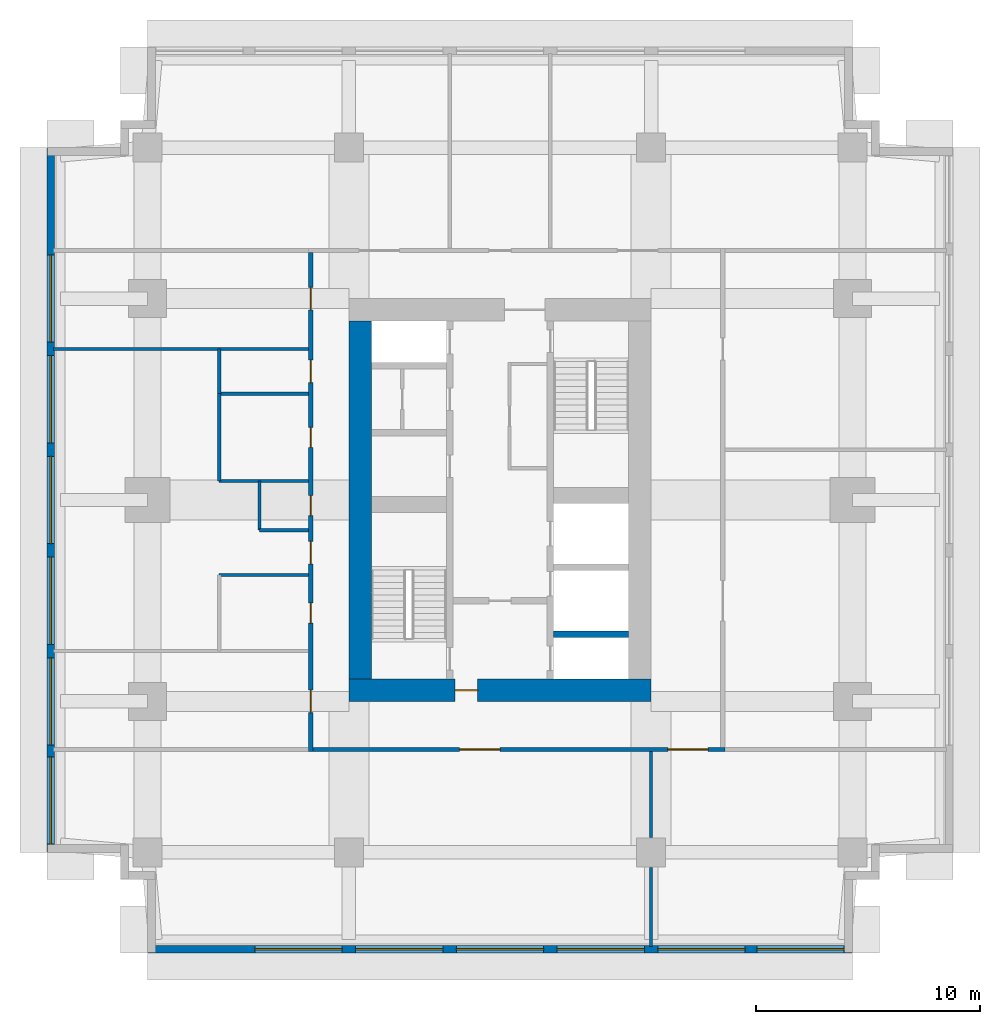
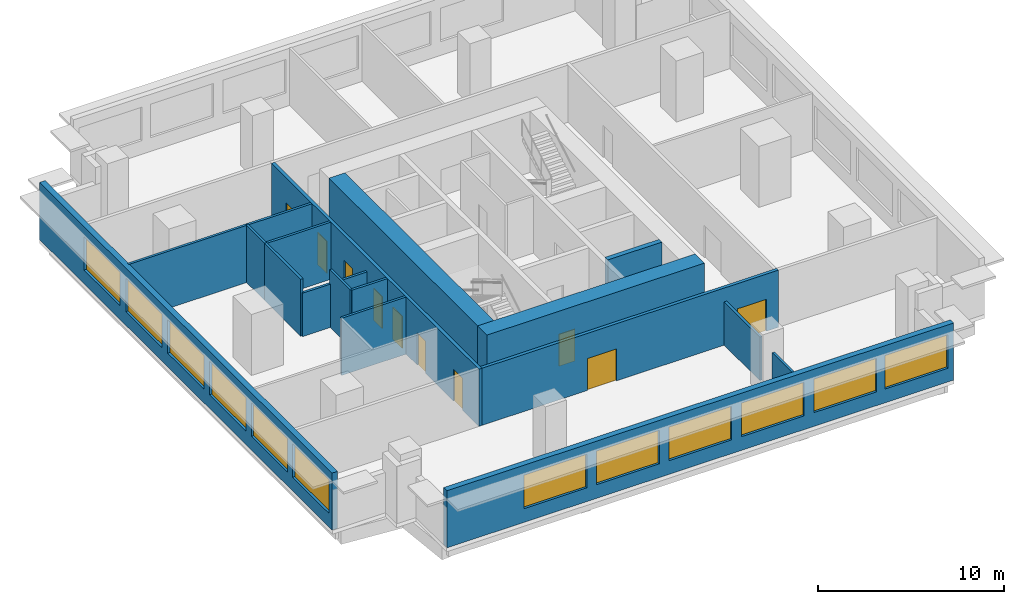
# One storey, part 2 of 5: 17 walls, 12 windows, 10 doors, 22 openings.
"""IFC4 building model written with IfcOpenShell, lengths in metres."""

from ifc_helpers import new_model, si_unit, direction, frame, frame_2d, origin, place, context, subcontext, project, spatial, rectangle, extrude, material, layer, layer_set, type_object, element, fill, save


model = new_model("IFC4")

# Units and contexts
model_context = context("Model", 3, precision=1e-05, world=origin(), true_north=direction((0.0, 1.0)))
body_context = subcontext(model_context, "Body", "Model", "MODEL_VIEW")
ifc_project = project(units=[si_unit("LENGTHUNIT", "METRE"), si_unit("AREAUNIT", "SQUARE_METRE"), si_unit("VOLUMEUNIT", "CUBIC_METRE"), si_unit("PLANEANGLEUNIT", "RADIAN"), si_unit("MASSUNIT", "GRAM", prefix="KILO")], contexts=[model_context])

# Site, building, storey
site_placement = place(None, origin())
site = spatial("IfcSite", under=ifc_project, at=site_placement, CompositionType="ELEMENT")
building_placement = place(site_placement, origin())
building = spatial("IfcBuilding", under=site, at=building_placement, Name="Namib Vertical Campus", CompositionType="ELEMENT")
storey_placement = place(building_placement, frame((0.0, 0.0, 285.0)))
storey = spatial("IfcBuildingStorey", under=building, at=storey_placement, Name="L67", CompositionType="ELEMENT", Elevation=285.0)

# Wall
ifc_material_1 = material(Name="Concrete C60/75", Category="concrete")
ifc_layer_1 = layer(ifc_material_1, 0.300048828125)
ifc_layer_set_1 = layer_set([ifc_layer_1], Name="Concrete C60/75")
wall_type_1 = type_object("IfcWallType", Name="Core inner wall 300", PredefinedType="SHEAR", material=ifc_layer_set_1)
wall_1_placement = place(storey_placement, frame((22.64990234375, 14.25, 0.0), z_axis=(0.0, 0.0, 1.0), x_axis=(1.0, 0.0, 0.0)))
element("IfcWall", 1, at=wall_1_placement, inside=storey, type_object=wall_type_1, Name="Core inner wall A L67 W5", PredefinedType="SHEAR", context=body_context, shape_type="SweptSolid", body=[
    extrude(rectangle(XDim=3.35009765625, YDim=0.300048828125, at=frame_2d((1.675048828125, 0.0))), origin(), (0.0, 0.0, 1.0), 4.0),
])

# Wall, opening, door
ifc_material_2 = material(Name="Concrete C60/75", Category="concrete")
ifc_layer_2 = layer(ifc_material_2, 1.0)
ifc_layer_set_2 = layer_set([ifc_layer_2], Name="Concrete C60/75")
wall_type_2 = type_object("IfcWallType", Name="Core wall 1000", PredefinedType="SHEAR", material=ifc_layer_set_2)
wall_2_placement = place(storey_placement, frame((13.5, 11.75, 0.0), z_axis=(0.0, 0.0, 1.0), x_axis=(1.0, 0.0, 0.0)))
wall_2 = element("IfcWall", 2, at=wall_2_placement, inside=storey, type_object=wall_type_2, Name="Core wall A L67 1", PredefinedType="SHEAR", context=body_context, shape_type="SweptSolid", body=[
    extrude(rectangle(XDim=13.5, YDim=1.0, at=frame_2d((6.75, 0.0))), origin(), (0.0, 0.0, 1.0), 4.0),
])
opening_1_placement = place(wall_2_placement, frame((4.75, 0.0, 0.0)))
opening_1 = element("IfcOpeningElement", 3, at=opening_1_placement, cuts=wall_2, Name="Opening FD5", PredefinedType="OPENING", context=body_context, shape_type="SweptSolid", body=[
    extrude(rectangle(XDim=1.0, YDim=2.10009765625, at=frame_2d((0.5, 1.050048828125))), frame((0.0, 0.510009765625, 0.0), z_axis=(0.0, -1.0, 0.0), x_axis=(1.0, 0.0, 0.0)), (0.0, 0.0, 1.0), 1.02001953125),
])
ifc_material_3 = material(Name="Steel fire door", Category="steel")
door_type_1 = type_object("IfcDoorType", Name="Fire door 1000x2100 120 min", OperationType="SINGLE_SWING_RIGHT", PredefinedType="DOOR", material=ifc_material_3)
door_1_placement = place(opening_1_placement, origin())
door_1 = element("IfcDoor", 4, at=door_1_placement, inside=storey, type_object=door_type_1, Name="Firefighting lobby door FD5 A L67", OperationType="SINGLE_SWING_LEFT", OverallHeight=2.10009765625, OverallWidth=1.0, PredefinedType="DOOR", context=body_context, shape_type="SweptSolid", body=[
    extrude(rectangle(XDim=1.0, YDim=2.10009765625, at=frame_2d((0.5, 1.050048828125))), frame((0.0, 0.02490234375, 0.0), z_axis=(0.0, -1.0, 0.0), x_axis=(1.0, 0.0, 0.0)), (0.0, 0.0, 1.0), 0.050048828125),
])
fill(opening_1, door_1)

# Wall
wall_3_placement = place(storey_placement, frame((14.0, 28.25, 0.0), z_axis=(0.0, 0.0, 1.0), x_axis=(0.0, -1.0, 0.0)))
element("IfcWall", 5, at=wall_3_placement, inside=storey, type_object=wall_type_2, Name="Core wall A L67 4", PredefinedType="SHEAR", context=body_context, shape_type="SweptSolid", body=[
    extrude(rectangle(XDim=16.0, YDim=1.0, at=frame_2d((8.0, 0.0))), origin(), (0.0, 0.0, 1.0), 4.0),
])

# Wall, openings, doors
ifc_material_4 = material(Name="Concrete masonry", Category="masonry")
ifc_layer_3 = layer(ifc_material_4, 0.199951171875)
ifc_layer_set_3 = layer_set([ifc_layer_3], Name="Corridor wall 200")
wall_type_3 = type_object("IfcWallType", Name="Corridor wall 200", PredefinedType="SOLIDWALL", material=ifc_layer_set_3)
wall_4_placement = place(storey_placement, frame((11.89990234375, 9.10009765625, 0.0), z_axis=(0.0, 0.0, 1.0), x_axis=(1.0, 0.0, 0.0)))
wall_4 = element("IfcWall", 6, at=wall_4_placement, inside=storey, type_object=wall_type_3, Name="Corridor wall A L67 CS", PredefinedType="SOLIDWALL", context=body_context, shape_type="SweptSolid", body=[
    extrude(rectangle(XDim=18.400146484375, YDim=0.199951171875, at=frame_2d((9.2001953125, 0.0))), origin(), (0.0, 0.0, 1.0), 3.75),
])
opening_2_placement = place(wall_4_placement, frame((6.550048828125, 0.0, 0.0)))
opening_2 = element("IfcOpeningElement", 7, at=opening_2_placement, cuts=wall_4, Name="Opening CD2", PredefinedType="OPENING", context=body_context, shape_type="SweptSolid", body=[
    extrude(rectangle(XDim=1.800048828125, YDim=2.10009765625, at=frame_2d((0.89990234375, 1.050048828125))), frame((0.0, 0.10986328125, 0.0), z_axis=(0.0, -1.0, 0.0), x_axis=(1.0, 0.0, 0.0)), (0.0, 0.0, 1.0), 0.219970703125),
])
opening_3_placement = place(wall_4_placement, frame((15.85009765625, 0.0, 0.0)))
opening_3 = element("IfcOpeningElement", 8, at=opening_3_placement, cuts=wall_4, Name="Opening CD2", PredefinedType="OPENING", context=body_context, shape_type="SweptSolid", body=[
    extrude(rectangle(XDim=1.800048828125, YDim=2.10009765625, at=frame_2d((0.89990234375, 1.050048828125))), frame((0.0, 0.10986328125, 0.0), z_axis=(0.0, -1.0, 0.0), x_axis=(1.0, 0.0, 0.0)), (0.0, 0.0, 1.0), 0.219970703125),
])
ifc_material_5 = material(Name="Timber fire door leaf", Category="wood")
door_type_2 = type_object("IfcDoorType", Name="Corridor door double 1800x2100 20 min", OperationType="DOUBLE_DOOR_SINGLE_SWING", PredefinedType="DOOR", material=ifc_material_5)
door_2_placement = place(opening_2_placement, frame((1.800048828125, 0.0, 0.0), z_axis=(0.0, 0.0, 1.0), x_axis=(-1.0, 0.0, 0.0)))
door_2 = element("IfcDoor", 9, at=door_2_placement, inside=storey, type_object=door_type_2, Name="Door CD2 A67-01", OperationType="DOUBLE_DOOR_SINGLE_SWING", OverallHeight=2.10009765625, OverallWidth=1.800048828125, PredefinedType="DOOR", context=body_context, shape_type="SweptSolid", body=[
    extrude(rectangle(XDim=1.800048828125, YDim=2.10009765625, at=frame_2d((0.89990234375, 1.050048828125))), frame((0.0, 0.02490234375, 0.0), z_axis=(0.0, -1.0, 0.0), x_axis=(1.0, 0.0, 0.0)), (0.0, 0.0, 1.0), 0.050048828125),
])
fill(opening_2, door_2)
door_3_placement = place(opening_3_placement, frame((1.800048828125, 0.0, 0.0), z_axis=(0.0, 0.0, 1.0), x_axis=(-1.0, 0.0, 0.0)))
door_3 = element("IfcDoor", 10, at=door_3_placement, inside=storey, type_object=door_type_2, Name="Door CD2 A67-02", OperationType="DOUBLE_DOOR_SINGLE_SWING", OverallHeight=2.10009765625, OverallWidth=1.800048828125, PredefinedType="DOOR", context=body_context, shape_type="SweptSolid", body=[
    extrude(rectangle(XDim=1.800048828125, YDim=2.10009765625, at=frame_2d((0.89990234375, 1.050048828125))), frame((0.0, 0.02490234375, 0.0), z_axis=(0.0, -1.0, 0.0), x_axis=(1.0, 0.0, 0.0)), (0.0, 0.0, 1.0), 0.050048828125),
])
fill(opening_3, door_3)

wall_5_placement = place(storey_placement, frame((11.800048828125, 31.300048828125, 0.0), z_axis=(0.0, 0.0, 1.0), x_axis=(0.0, -1.0, 0.0)))
wall_5 = element("IfcWall", 11, at=wall_5_placement, inside=storey, type_object=wall_type_3, Name="Corridor wall A L67 CW", PredefinedType="SOLIDWALL", context=body_context, shape_type="SweptSolid", body=[
    extrude(rectangle(XDim=22.300048828125, YDim=0.199951171875, at=frame_2d((11.14990234375, 0.0))), origin(), (0.0, 0.0, 1.0), 3.75),
])
opening_4_placement = place(wall_5_placement, frame((19.550048828125, 0.0, 0.0)))
opening_4 = element("IfcOpeningElement", 12, at=opening_4_placement, cuts=wall_5, Name="Opening CD1", PredefinedType="OPENING", context=body_context, shape_type="SweptSolid", body=[
    extrude(rectangle(XDim=1.0, YDim=2.10009765625, at=frame_2d((0.5, 1.050048828125))), frame((0.0, 0.10986328125, 0.0), z_axis=(0.0, -1.0, 0.0), x_axis=(1.0, 0.0, 0.0)), (0.0, 0.0, 1.0), 0.219970703125),
])
opening_5_placement = place(wall_5_placement, frame((15.64990234375, 0.0, 0.0)))
opening_5 = element("IfcOpeningElement", 13, at=opening_5_placement, cuts=wall_5, Name="Opening CD3", PredefinedType="OPENING", context=body_context, shape_type="SweptSolid", body=[
    extrude(rectangle(XDim=0.89990234375, YDim=2.10009765625, at=frame_2d((0.449951171875, 1.050048828125))), frame((0.0, 0.10986328125, 0.0), z_axis=(0.0, -1.0, 0.0), x_axis=(1.0, 0.0, 0.0)), (0.0, 0.0, 1.0), 0.219970703125),
])
opening_6_placement = place(wall_5_placement, frame((10.85009765625, 0.0, 0.0)))
opening_6 = element("IfcOpeningElement", 14, at=opening_6_placement, cuts=wall_5, Name="Opening CD3", PredefinedType="OPENING", context=body_context, shape_type="SweptSolid", body=[
    extrude(rectangle(XDim=0.89990234375, YDim=2.10009765625, at=frame_2d((0.449951171875, 1.050048828125))), frame((0.0, 0.10986328125, 0.0), z_axis=(0.0, -1.0, 0.0), x_axis=(1.0, 0.0, 0.0)), (0.0, 0.0, 1.0), 0.219970703125),
])
opening_7_placement = place(wall_5_placement, frame((7.800048828125, 0.0, 0.0)))
opening_7 = element("IfcOpeningElement", 15, at=opening_7_placement, cuts=wall_5, Name="Opening CD3", PredefinedType="OPENING", context=body_context, shape_type="SweptSolid", body=[
    extrude(rectangle(XDim=0.89990234375, YDim=2.10009765625, at=frame_2d((0.449951171875, 1.050048828125))), frame((0.0, 0.10986328125, 0.0), z_axis=(0.0, -1.0, 0.0), x_axis=(1.0, 0.0, 0.0)), (0.0, 0.0, 1.0), 0.219970703125),
])
opening_8_placement = place(wall_5_placement, frame((4.800048828125, 0.0, 0.0)))
opening_8 = element("IfcOpeningElement", 16, at=opening_8_placement, cuts=wall_5, Name="Opening CD1", PredefinedType="OPENING", context=body_context, shape_type="SweptSolid", body=[
    extrude(rectangle(XDim=1.0, YDim=2.10009765625, at=frame_2d((0.5, 1.050048828125))), frame((0.0, 0.10986328125, 0.0), z_axis=(0.0, -1.0, 0.0), x_axis=(1.0, 0.0, 0.0)), (0.0, 0.0, 1.0), 0.219970703125),
])
opening_9_placement = place(wall_5_placement, frame((12.89990234375, 0.0, 0.0)))
opening_9 = element("IfcOpeningElement", 17, at=opening_9_placement, cuts=wall_5, Name="Opening CD1", PredefinedType="OPENING", context=body_context, shape_type="SweptSolid", body=[
    extrude(rectangle(XDim=1.0, YDim=2.10009765625, at=frame_2d((0.5, 1.050048828125))), frame((0.0, 0.10986328125, 0.0), z_axis=(0.0, -1.0, 0.0), x_axis=(1.0, 0.0, 0.0)), (0.0, 0.0, 1.0), 0.219970703125),
])
opening_10_placement = place(wall_5_placement, frame((1.550048828125, 0.0, 0.0)))
opening_10 = element("IfcOpeningElement", 18, at=opening_10_placement, cuts=wall_5, Name="Opening CD1", PredefinedType="OPENING", context=body_context, shape_type="SweptSolid", body=[
    extrude(rectangle(XDim=1.0, YDim=2.10009765625, at=frame_2d((0.5, 1.050048828125))), frame((0.0, 0.10986328125, 0.0), z_axis=(0.0, -1.0, 0.0), x_axis=(1.0, 0.0, 0.0)), (0.0, 0.0, 1.0), 0.219970703125),
])
ifc_material_6 = material(Name="Timber fire door leaf", Category="wood")
door_type_3 = type_object("IfcDoorType", Name="Corridor door 1000x2100 20 min", OperationType="SINGLE_SWING_LEFT", PredefinedType="DOOR", material=ifc_material_6)
door_4_placement = place(opening_4_placement, frame((1.0, 0.0, 0.0), z_axis=(0.0, 0.0, 1.0), x_axis=(-1.0, 0.0, 0.0)))
door_4 = element("IfcDoor", 19, at=door_4_placement, inside=storey, type_object=door_type_3, Name="Door CD1 A67-08", OperationType="SINGLE_SWING_RIGHT", OverallHeight=2.10009765625, OverallWidth=1.0, PredefinedType="DOOR", context=body_context, shape_type="SweptSolid", body=[
    extrude(rectangle(XDim=1.0, YDim=2.10009765625, at=frame_2d((0.5, 1.050048828125))), frame((0.0, 0.02490234375, 0.0), z_axis=(0.0, -1.0, 0.0), x_axis=(1.0, 0.0, 0.0)), (0.0, 0.0, 1.0), 0.050048828125),
])
fill(opening_4, door_4)
door_5_placement = place(opening_8_placement, frame((1.0, 0.0, 0.0), z_axis=(0.0, 0.0, 1.0), x_axis=(-1.0, 0.0, 0.0)))
door_5 = element("IfcDoor", 20, at=door_5_placement, inside=storey, type_object=door_type_3, Name="Door CD1 A67-12", OperationType="SINGLE_SWING_RIGHT", OverallHeight=2.10009765625, OverallWidth=1.0, PredefinedType="DOOR", context=body_context, shape_type="SweptSolid", body=[
    extrude(rectangle(XDim=1.0, YDim=2.10009765625, at=frame_2d((0.5, 1.050048828125))), frame((0.0, 0.02490234375, 0.0), z_axis=(0.0, -1.0, 0.0), x_axis=(1.0, 0.0, 0.0)), (0.0, 0.0, 1.0), 0.050048828125),
])
fill(opening_8, door_5)
door_6_placement = place(opening_9_placement, frame((1.0, 0.0, 0.0), z_axis=(0.0, 0.0, 1.0), x_axis=(-1.0, 0.0, 0.0)))
door_6 = element("IfcDoor", 21, at=door_6_placement, inside=storey, type_object=door_type_3, Name="Door CD1 A67-13", OperationType="SINGLE_SWING_RIGHT", OverallHeight=2.10009765625, OverallWidth=1.0, PredefinedType="DOOR", context=body_context, shape_type="SweptSolid", body=[
    extrude(rectangle(XDim=1.0, YDim=2.10009765625, at=frame_2d((0.5, 1.050048828125))), frame((0.0, 0.02490234375, 0.0), z_axis=(0.0, -1.0, 0.0), x_axis=(1.0, 0.0, 0.0)), (0.0, 0.0, 1.0), 0.050048828125),
])
fill(opening_9, door_6)
door_7_placement = place(opening_10_placement, frame((1.0, 0.0, 0.0), z_axis=(0.0, 0.0, 1.0), x_axis=(-1.0, 0.0, 0.0)))
door_7 = element("IfcDoor", 22, at=door_7_placement, inside=storey, type_object=door_type_3, Name="Door CD1 A67-14", OperationType="SINGLE_SWING_RIGHT", OverallHeight=2.10009765625, OverallWidth=1.0, PredefinedType="DOOR", context=body_context, shape_type="SweptSolid", body=[
    extrude(rectangle(XDim=1.0, YDim=2.10009765625, at=frame_2d((0.5, 1.050048828125))), frame((0.0, 0.02490234375, 0.0), z_axis=(0.0, -1.0, 0.0), x_axis=(1.0, 0.0, 0.0)), (0.0, 0.0, 1.0), 0.050048828125),
])
fill(opening_10, door_7)
ifc_material_7 = material(Name="Timber fire door leaf", Category="wood")
door_type_4 = type_object("IfcDoorType", Name="Corridor toilet door 900x2100 20 min", OperationType="SINGLE_SWING_LEFT", PredefinedType="DOOR", material=ifc_material_7)
door_8_placement = place(opening_5_placement, frame((0.89990234375, 0.0, 0.0), z_axis=(0.0, 0.0, 1.0), x_axis=(-1.0, 0.0, 0.0)))
door_8 = element("IfcDoor", 23, at=door_8_placement, inside=storey, type_object=door_type_4, Name="Door CD3 A67-09", OperationType="SINGLE_SWING_RIGHT", OverallHeight=2.10009765625, OverallWidth=0.89990234375, PredefinedType="DOOR", context=body_context, shape_type="SweptSolid", body=[
    extrude(rectangle(XDim=0.89990234375, YDim=2.10009765625, at=frame_2d((0.449951171875, 1.050048828125))), frame((0.0, 0.02490234375, 0.0), z_axis=(0.0, -1.0, 0.0), x_axis=(1.0, 0.0, 0.0)), (0.0, 0.0, 1.0), 0.050048828125),
])
fill(opening_5, door_8)
door_9_placement = place(opening_6_placement, frame((0.89990234375, 0.0, 0.0), z_axis=(0.0, 0.0, 1.0), x_axis=(-1.0, 0.0, 0.0)))
door_9 = element("IfcDoor", 24, at=door_9_placement, inside=storey, type_object=door_type_4, Name="Door CD3 A67-10", OperationType="SINGLE_SWING_RIGHT", OverallHeight=2.10009765625, OverallWidth=0.89990234375, PredefinedType="DOOR", context=body_context, shape_type="SweptSolid", body=[
    extrude(rectangle(XDim=0.89990234375, YDim=2.10009765625, at=frame_2d((0.449951171875, 1.050048828125))), frame((0.0, 0.02490234375, 0.0), z_axis=(0.0, -1.0, 0.0), x_axis=(1.0, 0.0, 0.0)), (0.0, 0.0, 1.0), 0.050048828125),
])
fill(opening_6, door_9)
door_10_placement = place(opening_7_placement, frame((0.89990234375, 0.0, 0.0), z_axis=(0.0, 0.0, 1.0), x_axis=(-1.0, 0.0, 0.0)))
door_10 = element("IfcDoor", 25, at=door_10_placement, inside=storey, type_object=door_type_4, Name="Door CD3 A67-11", OperationType="SINGLE_SWING_RIGHT", OverallHeight=2.10009765625, OverallWidth=0.89990234375, PredefinedType="DOOR", context=body_context, shape_type="SweptSolid", body=[
    extrude(rectangle(XDim=0.89990234375, YDim=2.10009765625, at=frame_2d((0.449951171875, 1.050048828125))), frame((0.0, 0.02490234375, 0.0), z_axis=(0.0, -1.0, 0.0), x_axis=(1.0, 0.0, 0.0)), (0.0, 0.0, 1.0), 0.050048828125),
])
fill(opening_7, door_10)

# Wall, openings, windows
ifc_material_8 = material(Name="Concrete C40/50", Category="concrete")
ifc_layer_4 = layer(ifc_material_8, 0.35009765625)
ifc_layer_set_4 = layer_set([ifc_layer_4], Name="Concrete C40/50")
wall_type_4 = type_object("IfcWallType", Name="External wall 350 bush-hammered concrete", PredefinedType="STANDARD", material=ifc_layer_set_4)
wall_6_placement = place(storey_placement, frame((4.52001953125, 0.175048828125, 0.0), z_axis=(0.0, 0.0, 1.0), x_axis=(1.0, 0.0, 0.0)))
wall_6 = element("IfcWall", 26, at=wall_6_placement, inside=storey, type_object=wall_type_4, Name="External wall L67 F01", PredefinedType="STANDARD", context=body_context, shape_type="SweptSolid", body=[
    extrude(rectangle(XDim=31.4599609375, YDim=0.35009765625, at=frame_2d((15.72998046875, 0.0))), origin(), (0.0, 0.0, 1.0), 3.75),
])
opening_11_placement = place(wall_6_placement, frame((4.780029296875, 0.0, 0.89990234375)))
opening_11 = element("IfcOpeningElement", 27, at=opening_11_placement, cuts=wall_6, Name="Opening W1", PredefinedType="OPENING", context=body_context, shape_type="SweptSolid", body=[
    extrude(rectangle(XDim=3.89990234375, YDim=2.199951171875, at=frame_2d((1.949951171875, 1.10009765625))), frame((0.0, 0.18505859375, 0.0), z_axis=(0.0, -1.0, 0.0), x_axis=(1.0, 0.0, 0.0)), (0.0, 0.0, 1.0), 0.3701171875),
])
opening_12_placement = place(wall_6_placement, frame((9.280029296875, 0.0, 0.89990234375)))
opening_12 = element("IfcOpeningElement", 28, at=opening_12_placement, cuts=wall_6, Name="Opening W1", PredefinedType="OPENING", context=body_context, shape_type="SweptSolid", body=[
    extrude(rectangle(XDim=3.89990234375, YDim=2.199951171875, at=frame_2d((1.949951171875, 1.10009765625))), frame((0.0, 0.18505859375, 0.0), z_axis=(0.0, -1.0, 0.0), x_axis=(1.0, 0.0, 0.0)), (0.0, 0.0, 1.0), 0.3701171875),
])
opening_13_placement = place(wall_6_placement, frame((13.780029296875, 0.0, 0.89990234375)))
opening_13 = element("IfcOpeningElement", 29, at=opening_13_placement, cuts=wall_6, Name="Opening W1", PredefinedType="OPENING", context=body_context, shape_type="SweptSolid", body=[
    extrude(rectangle(XDim=3.89990234375, YDim=2.199951171875, at=frame_2d((1.949951171875, 1.10009765625))), frame((0.0, 0.18505859375, 0.0), z_axis=(0.0, -1.0, 0.0), x_axis=(1.0, 0.0, 0.0)), (0.0, 0.0, 1.0), 0.3701171875),
])
opening_14_placement = place(wall_6_placement, frame((18.280029296875, 0.0, 0.89990234375)))
opening_14 = element("IfcOpeningElement", 30, at=opening_14_placement, cuts=wall_6, Name="Opening W1", PredefinedType="OPENING", context=body_context, shape_type="SweptSolid", body=[
    extrude(rectangle(XDim=3.89990234375, YDim=2.199951171875, at=frame_2d((1.949951171875, 1.10009765625))), frame((0.0, 0.18505859375, 0.0), z_axis=(0.0, -1.0, 0.0), x_axis=(1.0, 0.0, 0.0)), (0.0, 0.0, 1.0), 0.3701171875),
])
opening_15_placement = place(wall_6_placement, frame((22.780029296875, 0.0, 0.89990234375)))
opening_15 = element("IfcOpeningElement", 31, at=opening_15_placement, cuts=wall_6, Name="Opening W1", PredefinedType="OPENING", context=body_context, shape_type="SweptSolid", body=[
    extrude(rectangle(XDim=3.89990234375, YDim=2.199951171875, at=frame_2d((1.949951171875, 1.10009765625))), frame((0.0, 0.18505859375, 0.0), z_axis=(0.0, -1.0, 0.0), x_axis=(1.0, 0.0, 0.0)), (0.0, 0.0, 1.0), 0.3701171875),
])
opening_16_placement = place(wall_6_placement, frame((27.2099609375, 0.0, 0.89990234375)))
opening_16 = element("IfcOpeningElement", 32, at=opening_16_placement, cuts=wall_6, Name="Opening W1", PredefinedType="OPENING", context=body_context, shape_type="SweptSolid", body=[
    extrude(rectangle(XDim=3.89990234375, YDim=2.199951171875, at=frame_2d((1.949951171875, 1.10009765625))), frame((0.0, 0.18505859375, 0.0), z_axis=(0.0, -1.0, 0.0), x_axis=(1.0, 0.0, 0.0)), (0.0, 0.0, 1.0), 0.3701171875),
])
ifc_material_9 = material(Name="Dark tinted glass in black aluminium frame", Category="aluminium")
window_type = type_object("IfcWindowType", Name="Ribbon window 3900x2200", PartitioningType="SINGLE_PANEL", PredefinedType="WINDOW", material=ifc_material_9)
window_1_placement = place(opening_11_placement, origin())
window_1 = element("IfcWindow", 33, at=window_1_placement, inside=storey, type_object=window_type, Name="Window W1 L67 F01-2", OverallHeight=2.199951171875, OverallWidth=3.89990234375, PartitioningType="SINGLE_PANEL", PredefinedType="WINDOW", context=body_context, shape_type="SweptSolid", body=[
    extrude(rectangle(XDim=3.89990234375, YDim=2.199951171875, at=frame_2d((1.949951171875, 1.10009765625))), frame((0.0, 0.030029296875, 0.0), z_axis=(0.0, -1.0, 0.0), x_axis=(1.0, 0.0, 0.0)), (0.0, 0.0, 1.0), 0.06005859375),
])
fill(opening_11, window_1)
window_2_placement = place(opening_12_placement, origin())
window_2 = element("IfcWindow", 34, at=window_2_placement, inside=storey, type_object=window_type, Name="Window W1 L67 F01-3", OverallHeight=2.199951171875, OverallWidth=3.89990234375, PartitioningType="SINGLE_PANEL", PredefinedType="WINDOW", context=body_context, shape_type="SweptSolid", body=[
    extrude(rectangle(XDim=3.89990234375, YDim=2.199951171875, at=frame_2d((1.949951171875, 1.10009765625))), frame((0.0, 0.030029296875, 0.0), z_axis=(0.0, -1.0, 0.0), x_axis=(1.0, 0.0, 0.0)), (0.0, 0.0, 1.0), 0.06005859375),
])
fill(opening_12, window_2)
window_3_placement = place(opening_13_placement, origin())
window_3 = element("IfcWindow", 35, at=window_3_placement, inside=storey, type_object=window_type, Name="Window W1 L67 F01-4", OverallHeight=2.199951171875, OverallWidth=3.89990234375, PartitioningType="SINGLE_PANEL", PredefinedType="WINDOW", context=body_context, shape_type="SweptSolid", body=[
    extrude(rectangle(XDim=3.89990234375, YDim=2.199951171875, at=frame_2d((1.949951171875, 1.10009765625))), frame((0.0, 0.030029296875, 0.0), z_axis=(0.0, -1.0, 0.0), x_axis=(1.0, 0.0, 0.0)), (0.0, 0.0, 1.0), 0.06005859375),
])
fill(opening_13, window_3)
window_4_placement = place(opening_14_placement, origin())
window_4 = element("IfcWindow", 36, at=window_4_placement, inside=storey, type_object=window_type, Name="Window W1 L67 F01-5", OverallHeight=2.199951171875, OverallWidth=3.89990234375, PartitioningType="SINGLE_PANEL", PredefinedType="WINDOW", context=body_context, shape_type="SweptSolid", body=[
    extrude(rectangle(XDim=3.89990234375, YDim=2.199951171875, at=frame_2d((1.949951171875, 1.10009765625))), frame((0.0, 0.030029296875, 0.0), z_axis=(0.0, -1.0, 0.0), x_axis=(1.0, 0.0, 0.0)), (0.0, 0.0, 1.0), 0.06005859375),
])
fill(opening_14, window_4)
window_5_placement = place(opening_15_placement, origin())
window_5 = element("IfcWindow", 37, at=window_5_placement, inside=storey, type_object=window_type, Name="Window W1 L67 F01-6", OverallHeight=2.199951171875, OverallWidth=3.89990234375, PartitioningType="SINGLE_PANEL", PredefinedType="WINDOW", context=body_context, shape_type="SweptSolid", body=[
    extrude(rectangle(XDim=3.89990234375, YDim=2.199951171875, at=frame_2d((1.949951171875, 1.10009765625))), frame((0.0, 0.030029296875, 0.0), z_axis=(0.0, -1.0, 0.0), x_axis=(1.0, 0.0, 0.0)), (0.0, 0.0, 1.0), 0.06005859375),
])
fill(opening_15, window_5)
window_6_placement = place(opening_16_placement, origin())
window_6 = element("IfcWindow", 38, at=window_6_placement, inside=storey, type_object=window_type, Name="Window W1 L67 F01-7", OverallHeight=2.199951171875, OverallWidth=3.89990234375, PartitioningType="SINGLE_PANEL", PredefinedType="WINDOW", context=body_context, shape_type="SweptSolid", body=[
    extrude(rectangle(XDim=3.89990234375, YDim=2.199951171875, at=frame_2d((1.949951171875, 1.10009765625))), frame((0.0, 0.030029296875, 0.0), z_axis=(0.0, -1.0, 0.0), x_axis=(1.0, 0.0, 0.0)), (0.0, 0.0, 1.0), 0.06005859375),
])
fill(opening_16, window_6)

wall_7_placement = place(storey_placement, frame((0.175048828125, 35.97998046875, 0.0), z_axis=(0.0, 0.0, 1.0), x_axis=(0.0, -1.0, 0.0)))
wall_7 = element("IfcWall", 39, at=wall_7_placement, inside=storey, type_object=wall_type_4, Name="External wall L67 F16", PredefinedType="STANDARD", context=body_context, shape_type="SweptSolid", body=[
    extrude(rectangle(XDim=31.4599609375, YDim=0.35009765625, at=frame_2d((15.72998046875, 0.0))), origin(), (0.0, 0.0, 1.0), 3.75),
])
opening_17_placement = place(wall_7_placement, frame((27.2099609375, 0.0, 0.89990234375)))
opening_17 = element("IfcOpeningElement", 40, at=opening_17_placement, cuts=wall_7, Name="Opening W1", PredefinedType="OPENING", context=body_context, shape_type="SweptSolid", body=[
    extrude(rectangle(XDim=3.89990234375, YDim=2.199951171875, at=frame_2d((1.949951171875, 1.10009765625))), frame((0.0, 0.18505859375, 0.0), z_axis=(0.0, -1.0, 0.0), x_axis=(1.0, 0.0, 0.0)), (0.0, 0.0, 1.0), 0.3701171875),
])
opening_18_placement = place(wall_7_placement, frame((22.780029296875, 0.0, 0.89990234375)))
opening_18 = element("IfcOpeningElement", 41, at=opening_18_placement, cuts=wall_7, Name="Opening W1", PredefinedType="OPENING", context=body_context, shape_type="SweptSolid", body=[
    extrude(rectangle(XDim=3.89990234375, YDim=2.199951171875, at=frame_2d((1.949951171875, 1.10009765625))), frame((0.0, 0.18505859375, 0.0), z_axis=(0.0, -1.0, 0.0), x_axis=(1.0, 0.0, 0.0)), (0.0, 0.0, 1.0), 0.3701171875),
])
opening_19_placement = place(wall_7_placement, frame((18.280029296875, 0.0, 0.89990234375)))
opening_19 = element("IfcOpeningElement", 42, at=opening_19_placement, cuts=wall_7, Name="Opening W1", PredefinedType="OPENING", context=body_context, shape_type="SweptSolid", body=[
    extrude(rectangle(XDim=3.89990234375, YDim=2.199951171875, at=frame_2d((1.949951171875, 1.10009765625))), frame((0.0, 0.18505859375, 0.0), z_axis=(0.0, -1.0, 0.0), x_axis=(1.0, 0.0, 0.0)), (0.0, 0.0, 1.0), 0.3701171875),
])
opening_20_placement = place(wall_7_placement, frame((13.780029296875, 0.0, 0.89990234375)))
opening_20 = element("IfcOpeningElement", 43, at=opening_20_placement, cuts=wall_7, Name="Opening W1", PredefinedType="OPENING", context=body_context, shape_type="SweptSolid", body=[
    extrude(rectangle(XDim=3.89990234375, YDim=2.199951171875, at=frame_2d((1.949951171875, 1.10009765625))), frame((0.0, 0.18505859375, 0.0), z_axis=(0.0, -1.0, 0.0), x_axis=(1.0, 0.0, 0.0)), (0.0, 0.0, 1.0), 0.3701171875),
])
opening_21_placement = place(wall_7_placement, frame((9.280029296875, 0.0, 0.89990234375)))
opening_21 = element("IfcOpeningElement", 44, at=opening_21_placement, cuts=wall_7, Name="Opening W1", PredefinedType="OPENING", context=body_context, shape_type="SweptSolid", body=[
    extrude(rectangle(XDim=3.89990234375, YDim=2.199951171875, at=frame_2d((1.949951171875, 1.10009765625))), frame((0.0, 0.18505859375, 0.0), z_axis=(0.0, -1.0, 0.0), x_axis=(1.0, 0.0, 0.0)), (0.0, 0.0, 1.0), 0.3701171875),
])
opening_22_placement = place(wall_7_placement, frame((4.780029296875, 0.0, 0.89990234375)))
opening_22 = element("IfcOpeningElement", 45, at=opening_22_placement, cuts=wall_7, Name="Opening W1", PredefinedType="OPENING", context=body_context, shape_type="SweptSolid", body=[
    extrude(rectangle(XDim=3.89990234375, YDim=2.199951171875, at=frame_2d((1.949951171875, 1.10009765625))), frame((0.0, 0.18505859375, 0.0), z_axis=(0.0, -1.0, 0.0), x_axis=(1.0, 0.0, 0.0)), (0.0, 0.0, 1.0), 0.3701171875),
])
window_7_placement = place(opening_17_placement, origin())
window_7 = element("IfcWindow", 46, at=window_7_placement, inside=storey, type_object=window_type, Name="Window W1 L67 F16-1", OverallHeight=2.199951171875, OverallWidth=3.89990234375, PartitioningType="SINGLE_PANEL", PredefinedType="WINDOW", context=body_context, shape_type="SweptSolid", body=[
    extrude(rectangle(XDim=3.89990234375, YDim=2.199951171875, at=frame_2d((1.949951171875, 1.10009765625))), frame((0.0, 0.030029296875, 0.0), z_axis=(0.0, -1.0, 0.0), x_axis=(1.0, 0.0, 0.0)), (0.0, 0.0, 1.0), 0.06005859375),
])
fill(opening_17, window_7)
window_8_placement = place(opening_18_placement, origin())
window_8 = element("IfcWindow", 47, at=window_8_placement, inside=storey, type_object=window_type, Name="Window W1 L67 F16-2", OverallHeight=2.199951171875, OverallWidth=3.89990234375, PartitioningType="SINGLE_PANEL", PredefinedType="WINDOW", context=body_context, shape_type="SweptSolid", body=[
    extrude(rectangle(XDim=3.89990234375, YDim=2.199951171875, at=frame_2d((1.949951171875, 1.10009765625))), frame((0.0, 0.030029296875, 0.0), z_axis=(0.0, -1.0, 0.0), x_axis=(1.0, 0.0, 0.0)), (0.0, 0.0, 1.0), 0.06005859375),
])
fill(opening_18, window_8)
window_9_placement = place(opening_19_placement, origin())
window_9 = element("IfcWindow", 48, at=window_9_placement, inside=storey, type_object=window_type, Name="Window W1 L67 F16-3", OverallHeight=2.199951171875, OverallWidth=3.89990234375, PartitioningType="SINGLE_PANEL", PredefinedType="WINDOW", context=body_context, shape_type="SweptSolid", body=[
    extrude(rectangle(XDim=3.89990234375, YDim=2.199951171875, at=frame_2d((1.949951171875, 1.10009765625))), frame((0.0, 0.030029296875, 0.0), z_axis=(0.0, -1.0, 0.0), x_axis=(1.0, 0.0, 0.0)), (0.0, 0.0, 1.0), 0.06005859375),
])
fill(opening_19, window_9)
window_10_placement = place(opening_20_placement, origin())
window_10 = element("IfcWindow", 49, at=window_10_placement, inside=storey, type_object=window_type, Name="Window W1 L67 F16-4", OverallHeight=2.199951171875, OverallWidth=3.89990234375, PartitioningType="SINGLE_PANEL", PredefinedType="WINDOW", context=body_context, shape_type="SweptSolid", body=[
    extrude(rectangle(XDim=3.89990234375, YDim=2.199951171875, at=frame_2d((1.949951171875, 1.10009765625))), frame((0.0, 0.030029296875, 0.0), z_axis=(0.0, -1.0, 0.0), x_axis=(1.0, 0.0, 0.0)), (0.0, 0.0, 1.0), 0.06005859375),
])
fill(opening_20, window_10)
window_11_placement = place(opening_21_placement, origin())
window_11 = element("IfcWindow", 50, at=window_11_placement, inside=storey, type_object=window_type, Name="Window W1 L67 F16-5", OverallHeight=2.199951171875, OverallWidth=3.89990234375, PartitioningType="SINGLE_PANEL", PredefinedType="WINDOW", context=body_context, shape_type="SweptSolid", body=[
    extrude(rectangle(XDim=3.89990234375, YDim=2.199951171875, at=frame_2d((1.949951171875, 1.10009765625))), frame((0.0, 0.030029296875, 0.0), z_axis=(0.0, -1.0, 0.0), x_axis=(1.0, 0.0, 0.0)), (0.0, 0.0, 1.0), 0.06005859375),
])
fill(opening_21, window_11)
window_12_placement = place(opening_22_placement, origin())
window_12 = element("IfcWindow", 51, at=window_12_placement, inside=storey, type_object=window_type, Name="Window W1 L67 F16-6", OverallHeight=2.199951171875, OverallWidth=3.89990234375, PartitioningType="SINGLE_PANEL", PredefinedType="WINDOW", context=body_context, shape_type="SweptSolid", body=[
    extrude(rectangle(XDim=3.89990234375, YDim=2.199951171875, at=frame_2d((1.949951171875, 1.10009765625))), frame((0.0, 0.030029296875, 0.0), z_axis=(0.0, -1.0, 0.0), x_axis=(1.0, 0.0, 0.0)), (0.0, 0.0, 1.0), 0.06005859375),
])
fill(opening_22, window_12)

# Walls
ifc_material_10 = material(Name="Gypsum board on steel studs", Category="steel")
ifc_layer_5 = layer(ifc_material_10, 0.14990234375)
ifc_layer_set_5 = layer_set([ifc_layer_5], Name="Gypsum board on steel studs")
wall_type_5 = type_object("IfcWallType", Name="Partition 150", PredefinedType="PARTITIONING", material=ifc_layer_set_5)
wall_8_placement = place(storey_placement, frame((27.0, 0.300048828125, 0.0), z_axis=(0.0, 0.0, 1.0), x_axis=(0.0, 1.0, 0.0)))
element("IfcWall", 52, at=wall_8_placement, inside=storey, type_object=wall_type_5, Name="Partition A L67 PS1", PredefinedType="PARTITIONING", context=body_context, shape_type="SweptSolid", body=[
    extrude(rectangle(XDim=3.530029296875, YDim=0.14990234375, at=frame_2d((1.76513671875, 0.0))), origin(), (0.0, 0.0, 1.0), 2.64990234375),
])
wall_9_placement = place(storey_placement, frame((27.0, 5.169921875, 0.0), z_axis=(0.0, 0.0, 1.0), x_axis=(0.0, 1.0, 0.0)))
element("IfcWall", 53, at=wall_9_placement, inside=storey, type_object=wall_type_5, Name="Partition A L67 PS1", PredefinedType="PARTITIONING", context=body_context, shape_type="SweptSolid", body=[
    extrude(rectangle(XDim=3.830078125, YDim=0.14990234375, at=frame_2d((1.9150390625, 0.0))), origin(), (0.0, 0.0, 1.0), 2.85009765625),
])
wall_10_placement = place(storey_placement, frame((0.300048828125, 27.0, 0.0), z_axis=(0.0, 0.0, 1.0), x_axis=(1.0, 0.0, 0.0)))
element("IfcWall", 54, at=wall_10_placement, inside=storey, type_object=wall_type_5, Name="Partition A L67 PW2", PredefinedType="PARTITIONING", context=body_context, shape_type="SweptSolid", body=[
    extrude(rectangle(XDim=11.39990234375, YDim=0.14990234375, at=frame_2d((5.699951171875, 0.0))), origin(), (0.0, 0.0, 1.0), 3.75),
])
wall_11_placement = place(storey_placement, frame((11.699951171875, 16.89990234375, 0.0), z_axis=(0.0, 0.0, 1.0), x_axis=(-1.0, 0.0, 0.0)))
element("IfcWall", 55, at=wall_11_placement, inside=storey, type_object=wall_type_5, Name="Partition A L67 WR1", PredefinedType="PARTITIONING", context=body_context, shape_type="SweptSolid", body=[
    extrude(rectangle(XDim=4.0, YDim=0.14990234375, at=frame_2d((2.0, 0.0))), origin(), (0.0, 0.0, 1.0), 3.75),
])
wall_12_placement = place(storey_placement, frame((11.699951171875, 18.89990234375, 0.0), z_axis=(0.0, 0.0, 1.0), x_axis=(-1.0, 0.0, 0.0)))
element("IfcWall", 56, at=wall_12_placement, inside=storey, type_object=wall_type_5, Name="Partition A L67 WR2", PredefinedType="PARTITIONING", context=body_context, shape_type="SweptSolid", body=[
    extrude(rectangle(XDim=2.199951171875, YDim=0.14990234375, at=frame_2d((1.10009765625, 0.0))), origin(), (0.0, 0.0, 1.0), 3.75),
])
wall_13_placement = place(storey_placement, frame((11.699951171875, 21.10009765625, 0.0), z_axis=(0.0, 0.0, 1.0), x_axis=(-1.0, 0.0, 0.0)))
element("IfcWall", 57, at=wall_13_placement, inside=storey, type_object=wall_type_5, Name="Partition A L67 WR3", PredefinedType="PARTITIONING", context=body_context, shape_type="SweptSolid", body=[
    extrude(rectangle(XDim=4.0, YDim=0.14990234375, at=frame_2d((2.0, 0.0))), origin(), (0.0, 0.0, 1.0), 2.85009765625),
])
wall_14_placement = place(storey_placement, frame((11.699951171875, 25.0, 0.0), z_axis=(0.0, 0.0, 1.0), x_axis=(-1.0, 0.0, 0.0)))
element("IfcWall", 58, at=wall_14_placement, inside=storey, type_object=wall_type_5, Name="Partition A L67 WR4", PredefinedType="PARTITIONING", context=body_context, shape_type="SweptSolid", body=[
    extrude(rectangle(XDim=4.0, YDim=0.14990234375, at=frame_2d((2.0, 0.0))), origin(), (0.0, 0.0, 1.0), 3.75),
])
wall_15_placement = place(storey_placement, frame((9.5, 18.89990234375, 0.0), z_axis=(0.0, 0.0, 1.0), x_axis=(0.0, 1.0, 0.0)))
element("IfcWall", 59, at=wall_15_placement, inside=storey, type_object=wall_type_5, Name="Partition A L67 WB2", PredefinedType="PARTITIONING", context=body_context, shape_type="SweptSolid", body=[
    extrude(rectangle(XDim=2.2001953125, YDim=0.14990234375, at=frame_2d((1.10009765625, 0.0))), origin(), (0.0, 0.0, 1.0), 3.75),
])
wall_16_placement = place(storey_placement, frame((7.699951171875, 21.10009765625, 0.0), z_axis=(0.0, 0.0, 1.0), x_axis=(0.0, 1.0, 0.0)))
element("IfcWall", 60, at=wall_16_placement, inside=storey, type_object=wall_type_5, Name="Partition A L67 WB3", PredefinedType="PARTITIONING", context=body_context, shape_type="SweptSolid", body=[
    extrude(rectangle(XDim=3.89990234375, YDim=0.14990234375, at=frame_2d((1.949951171875, 0.0))), origin(), (0.0, 0.0, 1.0), 3.75),
])
wall_17_placement = place(storey_placement, frame((7.699951171875, 25.0, 0.0), z_axis=(0.0, 0.0, 1.0), x_axis=(0.0, 1.0, 0.0)))
element("IfcWall", 61, at=wall_17_placement, inside=storey, type_object=wall_type_5, Name="Partition A L67 WB4", PredefinedType="PARTITIONING", context=body_context, shape_type="SweptSolid", body=[
    extrude(rectangle(XDim=2.0, YDim=0.14990234375, at=frame_2d((1.0, 0.0))), origin(), (0.0, 0.0, 1.0), 3.75),
])

save(model, "model.ifc")
